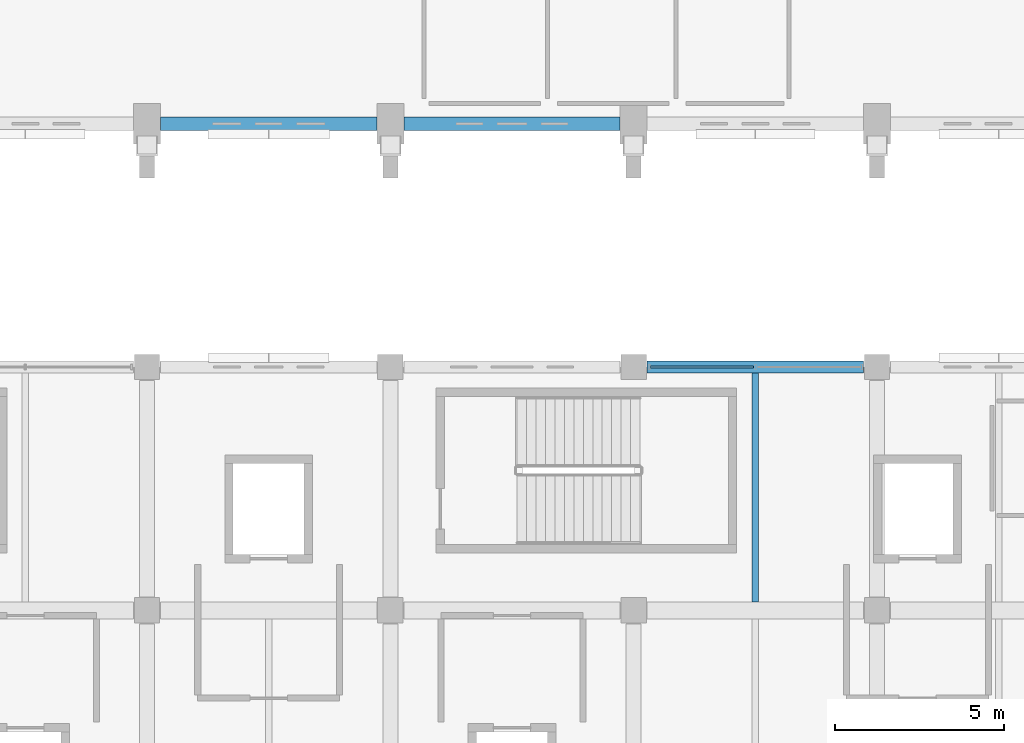
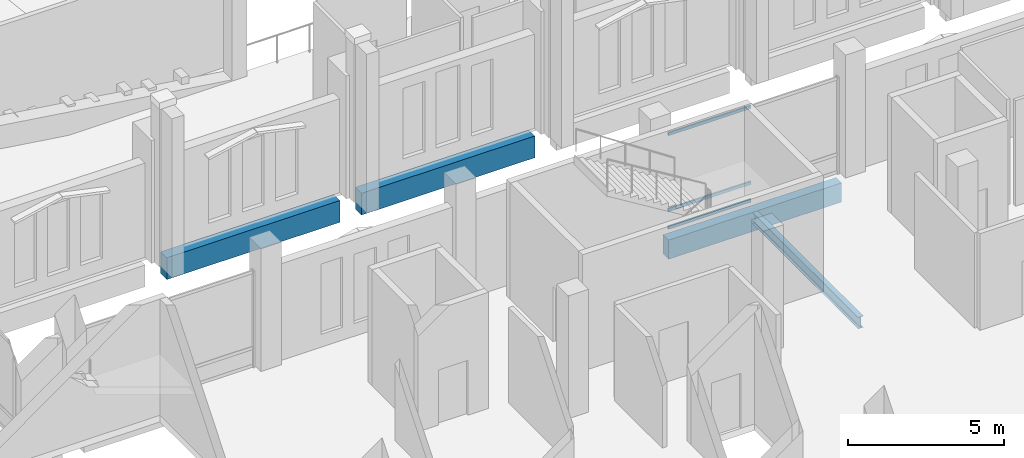
# One storey, part 74 of 193: 4 beams, 3 members, 1 element without a shape of its own.
"""IFC4 building model written with IfcOpenShell, lengths in metres."""

from ifc_helpers import new_model, si_unit, direction, frame, origin, origin_2d, place, context, subcontext, project, spatial, rectangle, hollow_rectangle, i_section, extrude, material, material_profile, profile_set, type_object, element, aggregate, save


model = new_model("IFC4")

# Units and contexts
model_context = context("Model", 3, precision=1e-05, world=origin(), true_north=direction((0.0, 1.0)))
body_context = subcontext(model_context, "Body", "Model", "MODEL_VIEW")
ifc_project = project(units=[si_unit("LENGTHUNIT", "METRE"), si_unit("AREAUNIT", "SQUARE_METRE"), si_unit("VOLUMEUNIT", "CUBIC_METRE"), si_unit("PLANEANGLEUNIT", "RADIAN"), si_unit("MASSUNIT", "GRAM", prefix="KILO")], contexts=[model_context])

# Site, building, storey
site_placement = place(None, origin())
site = spatial("IfcSite", under=ifc_project, at=site_placement, CompositionType="ELEMENT")
building_placement = place(site_placement, origin())
building = spatial("IfcBuilding", under=site, at=building_placement, Name="Cendralis Lancet Convention Centre", CompositionType="ELEMENT")
storey_placement = place(building_placement, frame((0.0, 0.0, 10.199951171875)))
storey = spatial("IfcBuildingStorey", under=building, at=storey_placement, Name="L02", CompositionType="ELEMENT", Elevation=10.199951171875)

# Curtain wall, members
ifc_material_1 = material(Name="Anodised bronze architectural aluminium", Category="aluminium")
curtain_wall_type = type_object("IfcCurtainWallType", Name="ARC-CW-CL02", PredefinedType="USERDEFINED", material=ifc_material_1)
curtain_wall_placement = place(storey_placement, origin())
curtain_wall = element("IfcCurtainWall", 1, at=curtain_wall_placement, inside=storey, type_object=curtain_wall_type, Name="L02 Curtain Wall CW-CL2 #186", ObjectType="CURTAIN WALL", PredefinedType="USERDEFINED")
ifc_material_profile_1 = material_profile(ifc_material_1, hollow_rectangle(XDim=0.06005859375, YDim=0.1201171875, WallThickness=0.00390625, at=origin_2d()), Name="AL-TRAN 60x120x4.0")
ifc_profile_set_1 = profile_set([ifc_material_profile_1], Name="Anodised bronze architectural aluminium")
member_type = type_object("IfcMemberType", Name="ARC-CW-TR01", PredefinedType="USERDEFINED", material=ifc_profile_set_1)
member_1_placement = place(storey_placement, frame((175.68505859375, 36.0, 0.06005859375), z_axis=(1.0, 0.0, 0.0), x_axis=(0.0, 1.0, 0.0)))
member_1 = element("IfcMember", 2, at=member_1_placement, type_object=member_type, Name="Transom CW2-CW-CL2-L02-186-T0BOT", ObjectType="TRANSOM", PredefinedType="USERDEFINED", context=body_context, shape_type="SweptSolid", body=[
    extrude(hollow_rectangle(XDim=0.06005859375, YDim=0.1201171875, WallThickness=0.00390625, at=origin_2d()), origin(), (0.0, 0.0, 1.0), 3.054931640625),
])
member_2_placement = place(storey_placement, frame((175.68505859375, 36.0, 0.75), z_axis=(1.0, 0.0, 0.0), x_axis=(0.0, 1.0, 0.0)))
member_2 = element("IfcMember", 3, at=member_2_placement, type_object=member_type, Name="Transom CW2-CW-CL2-L02-186-T0MID", ObjectType="TRANSOM", PredefinedType="USERDEFINED", context=body_context, shape_type="SweptSolid", body=[
    extrude(hollow_rectangle(XDim=0.06005859375, YDim=0.1201171875, WallThickness=0.00390625, at=origin_2d()), origin(), (0.0, 0.0, 1.0), 3.054931640625),
])
member_3_placement = place(storey_placement, frame((175.68505859375, 36.0, 3.715087890625), z_axis=(1.0, 0.0, 0.0), x_axis=(0.0, 1.0, 0.0)))
member_3 = element("IfcMember", 4, at=member_3_placement, type_object=member_type, Name="Transom CW2-CW-CL2-L02-186-T0TOP", ObjectType="TRANSOM", PredefinedType="USERDEFINED", context=body_context, shape_type="SweptSolid", body=[
    extrude(hollow_rectangle(XDim=0.06005859375, YDim=0.1201171875, WallThickness=0.00390625, at=origin_2d()), origin(), (0.0, 0.0, 1.0), 3.054931640625),
])
aggregate(curtain_wall, [member_1, member_2, member_3])

# Beams
ifc_material_2 = material(Name="Steel S355", Category="steel")
ifc_material_profile_2 = material_profile(ifc_material_2, i_section(OverallWidth=0.18994140625, OverallDepth=0.449951171875, WebThickness=0.009521484375, FlangeThickness=0.0146484375, FilletRadius=0.02099609375, at=origin_2d()), Name="IPE 450")
ifc_profile_set_2 = profile_set([ifc_material_profile_2], Name="Steel S355")
beam_type_1 = type_object("IfcBeamType", Name="STR-JS-BJ07", PredefinedType="JOIST", material=ifc_profile_set_2)
beam_1_placement = place(storey_placement, frame((178.800048828125, 29.050048828125, -0.52490234375), z_axis=(0.0, 1.0, 0.0), x_axis=(-1.0, 0.0, 0.0)))
element("IfcBeam", 5, at=beam_1_placement, inside=storey, type_object=beam_type_1, Name="L02 Beam BJ07 #0367", PredefinedType="JOIST", context=body_context, shape_type="SweptSolid", body=[
    extrude(i_section(OverallWidth=0.18994140625, OverallDepth=0.449951171875, WebThickness=0.009521484375, FlangeThickness=0.0146484375, FilletRadius=0.02099609375, at=origin_2d()), origin(), (0.0, 0.0, 1.0), 6.77490234375),
])
ifc_material_3 = material(Name="Concrete G40 (C40/50)", Category="concrete")
ifc_material_profile_3 = material_profile(ifc_material_3, rectangle(XDim=0.35009765625, YDim=0.75, at=origin_2d()), Name="RCB 350x750")
ifc_profile_set_3 = profile_set([ifc_material_profile_3], Name="Concrete G40 (C40/50)")
beam_type_2 = type_object("IfcBeamType", Name="STR-SP-SP01", PredefinedType="SPANDREL", material=ifc_profile_set_3)
beam_2_placement = place(storey_placement, frame((175.60009765625, 36.0, -0.675048828125), z_axis=(1.0, 0.0, 0.0), x_axis=(0.0, 1.0, 0.0)))
element("IfcBeam", 6, at=beam_2_placement, inside=storey, type_object=beam_type_2, Name="L02 Beam SP01 #0299", PredefinedType="SPANDREL", context=body_context, shape_type="SweptSolid", body=[
    extrude(rectangle(XDim=0.35009765625, YDim=0.75, at=origin_2d()), origin(), (0.0, 0.0, 1.0), 6.39990234375),
])
ifc_material_profile_4 = material_profile(ifc_material_3, rectangle(XDim=0.39990234375, YDim=0.85009765625, at=origin_2d()), Name="RCB 400x850")
ifc_profile_set_4 = profile_set([ifc_material_profile_4], Name="Concrete G40 (C40/50)")
beam_type_3 = type_object("IfcBeamType", Name="STR-SP-SP02", PredefinedType="SPANDREL", material=ifc_profile_set_4)
for number, where, z_axis, x_axis, name in (
    (7, (161.199951171875, 43.199951171875, -0.724853515625), (1.0, 0.0, 0.0), (0.0, 1.0, 0.0), "L02 Beam SP02 #1452"),
    (8, (168.39990234375, 43.199951171875, -0.724853515625), (1.0, 0.0, 0.0), (0.0, 1.0, 0.0), "L02 Beam SP02 #1453"),
):
    element("IfcBeam", number, at=place(storey_placement, frame(where, z_axis=z_axis, x_axis=x_axis)), inside=storey, type_object=beam_type_3, Name=name, PredefinedType="SPANDREL", context=body_context, shape_type="SweptSolid", body=[
        extrude(rectangle(XDim=0.39990234375, YDim=0.85009765625, at=origin_2d()), origin(), (0.0, 0.0, 1.0), 6.400146484375),
    ])

save(model, "model.ifc")
